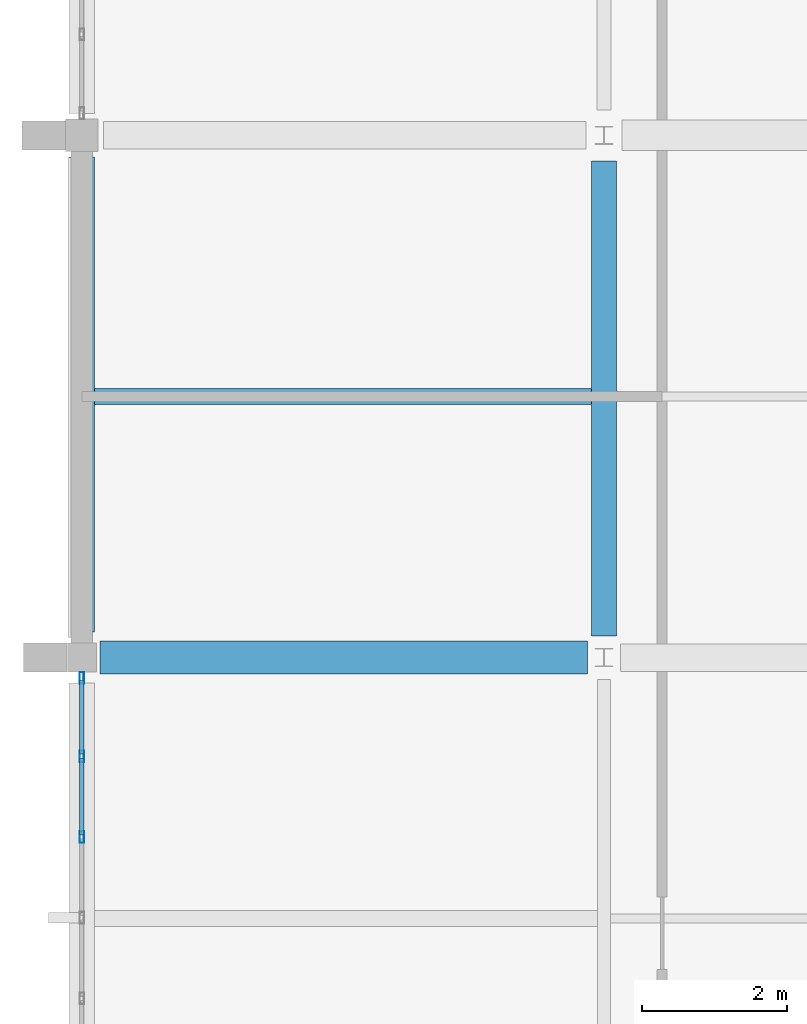
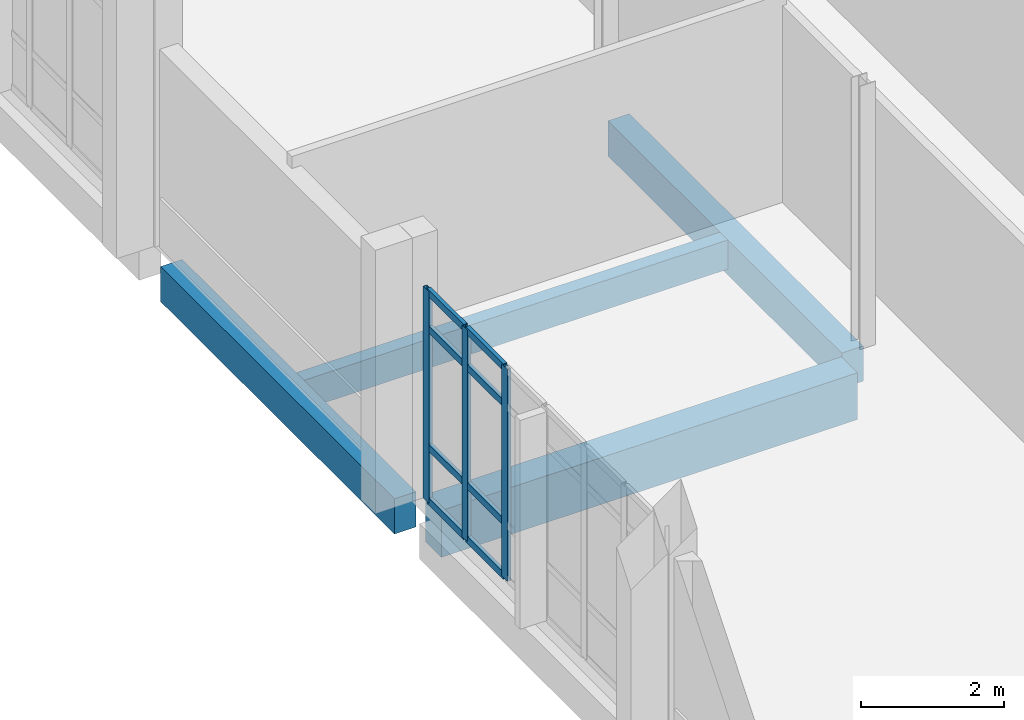
# One storey, part 18 of 62: 11 members, 4 beams, 1 element without a shape of its own.
"""IFC4 building model written with IfcOpenShell, lengths in metres."""

import ifcopenshell
import ifcopenshell.guid

model = None  # the IFC model being written
_history = None  # IfcOwnerHistory: only IFC2X3 demands one
_inside = {}  # id of a spatial element -> (the spatial element, [elements in it])
_under = {}  # id of a project, library or spatial element -> (it, [spatial elements below it])
_declared = {}  # id of a project -> (the project, [libraries it declares])
_typed = {}  # id of a type object -> (the type object, [elements of that type])
_made_of = {}  # id of a material, layer set ... -> (it, [elements and type objects made of it])


def new_model(schema):
    """Start an empty IFC model of exactly this schema.

    Asked for "IFC4X3", IfcOpenShell would pick the latest addendum, in which some entities
    have other attributes; the version numbers below select the first issue.
    IFC2X3 requires an IfcOwnerHistory on every rooted entity: one is made here for all.
    """
    global model, _history
    if schema == "IFC4X3":
        model = ifcopenshell.file(schema_version=(4, 3, 0, 0))
    else:
        model = ifcopenshell.file(schema=schema)
    _inside.clear()
    _under.clear()
    _declared.clear()
    _typed.clear()
    _made_of.clear()
    _history = None
    if model.schema == "IFC2X3":
        org = make("IfcOrganization", Name="unknown")
        user = make(
            "IfcPersonAndOrganization",
            ThePerson=make("IfcPerson", FamilyName="unknown"),
            TheOrganization=org,
        )
        app = make(
            "IfcApplication",
            ApplicationDeveloper=org,
            Version="unknown",
            ApplicationFullName="unknown",
            ApplicationIdentifier="unknown",
        )
        _history = make(
            "IfcOwnerHistory",
            OwningUser=user,
            OwningApplication=app,
            ChangeAction="ADDED",
            CreationDate=0,
        )
    return model


def make(cls, **values):
    """One entity of the class cls with the attributes given. An attribute that is None is left unset."""
    return model.create_entity(
        cls, **{name: value for name, value in values.items() if value is not None}
    )


def rooted(cls, **values):
    """An entity with a GlobalId (a new one), such as an element, a storey or a relation."""
    return make(cls, GlobalId=ifcopenshell.guid.new(), OwnerHistory=_history, **values)


def si_unit(unit_type, name, prefix=None):
    """IfcSIUnit, for example si_unit("LENGTHUNIT", "METRE", prefix="MILLI")."""
    return make("IfcSIUnit", UnitType=unit_type, Prefix=prefix, Name=name)


def assignment(units):
    """IfcUnitAssignment: the units of a project."""
    return None if units is None else make("IfcUnitAssignment", Units=units)


def point(xyz):
    """IfcCartesianPoint."""
    return None if xyz is None else make("IfcCartesianPoint", Coordinates=xyz)


def direction(xyz):
    """IfcDirection."""
    return None if xyz is None else make("IfcDirection", DirectionRatios=xyz)


def frame(location, z_axis=None, x_axis=None):
    """IfcAxis2Placement3D, a coordinate frame: its origin and axes. An axis left out is left unset."""
    return make(
        "IfcAxis2Placement3D",
        Location=point(location),
        Axis=direction(z_axis),
        RefDirection=direction(x_axis),
    )


def frame_2d(location, x_axis=None):
    """IfcAxis2Placement2D, a coordinate frame in the plane: its origin and x axis."""
    return make(
        "IfcAxis2Placement2D", Location=point(location), RefDirection=direction(x_axis)
    )


def origin():
    """The frame at (0, 0, 0) with its axes left unset."""
    return frame((0.0, 0.0, 0.0))


def origin_2d():
    """The frame at (0, 0) in the plane with its x axis left unset."""
    return frame_2d((0.0, 0.0))


def place(relative_to, where):
    """IfcLocalPlacement: puts the frame where relative to a parent placement (None: the world)."""
    return make(
        "IfcLocalPlacement", PlacementRelTo=relative_to, RelativePlacement=where
    )


def context(
    kind, dimensions, precision=None, world=None, true_north=None, identifier=None
):
    """IfcGeometricRepresentationContext, for example the 3D "Model" context."""
    return make(
        "IfcGeometricRepresentationContext",
        ContextIdentifier=identifier,
        ContextType=kind,
        CoordinateSpaceDimension=dimensions,
        Precision=precision,
        WorldCoordinateSystem=world,
        TrueNorth=true_north,
    )


def subcontext(parent, identifier, kind, view, scale=None):
    """IfcGeometricRepresentationSubContext, for example "Body" below "Model"."""
    return make(
        "IfcGeometricRepresentationSubContext",
        ContextIdentifier=identifier,
        ContextType=kind,
        ParentContext=parent,
        TargetScale=scale,
        TargetView=view,
    )


def project(units=None, contexts=None):
    """IfcProject with its units and contexts."""
    return rooted(
        "IfcProject",
        Name="project",
        RepresentationContexts=contexts,
        UnitsInContext=assignment(units),
    )


def spatial(cls, under=None, at=None, **own):
    """A site, building, storey or space (cls), placed at a placement, below another one or the project."""
    s = rooted(cls, ObjectPlacement=at, **own)
    if under is not None:
        _under.setdefault(under.id(), (under, []))[1].append(s)
    return s


def profile(cls, at=None, kind="AREA", **sizes):
    """A parametric profile (cls). Its sizes go by their IFC names, for example OverallWidth=200.0."""
    return make(cls, ProfileType=kind, Position=at, **sizes)


def rectangle(**sizes):
    """IfcRectangleProfileDef."""
    return profile("IfcRectangleProfileDef", **sizes)


def hollow_rectangle(**sizes):
    """IfcRectangleHollowProfileDef."""
    return profile("IfcRectangleHollowProfileDef", **sizes)


def extrude(swept, where, along, depth):
    """IfcExtrudedAreaSolid: the profile swept, set in the frame where, extruded along a direction by depth."""
    return make(
        "IfcExtrudedAreaSolid",
        SweptArea=swept,
        Position=where,
        ExtrudedDirection=direction(along),
        Depth=depth,
    )


def shape(context_of_items, identifier, shape_type, items):
    """IfcShapeRepresentation: the items that make up one representation, for example the "Body"."""
    return make(
        "IfcShapeRepresentation",
        ContextOfItems=context_of_items,
        RepresentationIdentifier=identifier,
        RepresentationType=shape_type,
        Items=items,
    )


def material(Name=None, Category=None):
    """IfcMaterial."""
    return make("IfcMaterial", Name=Name, Category=Category)


def material_profile(
    of_material, cross_section, Name=None, Category=None, Priority=None
):
    """IfcMaterialProfile: a cross section and its material."""
    return make(
        "IfcMaterialProfile",
        Name=Name,
        Material=of_material,
        Profile=cross_section,
        Priority=Priority,
        Category=Category,
    )


def profile_set(profiles, Name=None, composite=None):
    """IfcMaterialProfileSet."""
    return make(
        "IfcMaterialProfileSet",
        Name=Name,
        MaterialProfiles=profiles,
        CompositeProfile=composite,
    )


def made_of(thing, what):
    """Note that an element or type object is made of a material, layer set ...; save() writes the relation."""
    if what is not None:
        _made_of.setdefault(what.id(), (what, []))[1].append(thing)
    return thing


def type_object(cls, material=None, **own):
    """A type object (cls), such as IfcWallType, which elements share."""
    return made_of(rooted(cls, **own), material)


def element(
    cls,
    number,
    at=None,
    inside=None,
    cuts=None,
    type_object=None,
    material=None,
    context=None,
    identifier="Body",
    shape_type=None,
    held_by="IfcProductDefinitionShape",
    body=None,
    shapes=None,
    **own,
):
    """One element of the class cls, such as IfcWall. Its Tag is "e" and its number.

    at: its placement. inside: the storey or other place that contains it. cuts: it is an
    opening in that element (IfcRelVoidsElement). A single representation is given by context,
    identifier, shape_type and body (its items); several are given by shapes. held_by: the class
    of the entity that holds the representations. save() writes the other relations.
    """
    e = rooted(cls, Tag="e%d" % number, ObjectPlacement=at, **own)
    if body is not None:
        shapes = [shape(context, identifier, shape_type, body)]
    if shapes is not None:
        e.Representation = make(held_by, Representations=shapes)
    if inside is not None:
        _inside.setdefault(inside.id(), (inside, []))[1].append(e)
    if cuts is not None:
        rooted(
            "IfcRelVoidsElement", RelatingBuildingElement=cuts, RelatedOpeningElement=e
        )
    if type_object is not None:
        _typed.setdefault(type_object.id(), (type_object, []))[1].append(e)
    return made_of(e, material)


def aggregate(whole, parts):
    """IfcRelAggregates: a whole, such as a stair, and the parts it consists of."""
    return rooted("IfcRelAggregates", RelatingObject=whole, RelatedObjects=parts)


def save(model, path):
    """Write the relations noted so far, then the file.

    IfcRelAggregates (storeys below a building ...), IfcRelContainedInSpatialStructure (elements
    in a storey), IfcRelDefinesByType, IfcRelAssociatesMaterial and IfcRelDeclares: one each for
    every whole, place, type object, material and project.
    """
    for whole, parts in _under.values():
        aggregate(whole, parts)
    for where, things in _inside.values():
        rooted(
            "IfcRelContainedInSpatialStructure",
            RelatedElements=things,
            RelatingStructure=where,
        )
    for kind, things in _typed.values():
        rooted("IfcRelDefinesByType", RelatedObjects=things, RelatingType=kind)
    for what, things in _made_of.values():
        rooted("IfcRelAssociatesMaterial", RelatedObjects=things, RelatingMaterial=what)
    for by, libraries in _declared.values():
        rooted("IfcRelDeclares", RelatingContext=by, RelatedDefinitions=libraries)
    model.write(path)


model = new_model("IFC4")

# Units and contexts
model_context = context("Model", 3, precision=1e-05, world=origin(), true_north=direction((0.0, 1.0)))
body_context = subcontext(model_context, "Body", "Model", "MODEL_VIEW")
ifc_project = project(units=[si_unit("LENGTHUNIT", "METRE"), si_unit("AREAUNIT", "SQUARE_METRE"), si_unit("VOLUMEUNIT", "CUBIC_METRE"), si_unit("PLANEANGLEUNIT", "RADIAN"), si_unit("MASSUNIT", "GRAM", prefix="KILO")], contexts=[model_context])

# Site, building, storey
site_placement = place(None, origin())
site = spatial("IfcSite", under=ifc_project, at=site_placement, CompositionType="ELEMENT")
building_placement = place(site_placement, origin())
building = spatial("IfcBuilding", under=site, at=building_placement, Name="Kalluvel Institute of Natural Sciences", CompositionType="ELEMENT")
storey_placement = place(building_placement, frame((0.0, 0.0, 27.89990234375)))
storey = spatial("IfcBuildingStorey", under=building, at=storey_placement, Name="L06", CompositionType="ELEMENT", Elevation=27.89990234375)

# Beams
ifc_material_1 = material(Name="Concrete M40", Category="concrete")
ifc_material_profile_1 = material_profile(ifc_material_1, rectangle(XDim=0.35009765625, YDim=0.60009765625, at=origin_2d()), Name="RCB 350x600")
ifc_profile_set_1 = profile_set([ifc_material_profile_1], Name="Concrete M40")
beam_type_1 = type_object("IfcBeamType", Name="BM-RC350x600", PredefinedType="BEAM", material=ifc_profile_set_1)
beam_1_placement = place(storey_placement, frame((21.199951171875, 79.10009765625, -0.599853515625), z_axis=(0.0, 1.0, 0.0), x_axis=(-1.0, 0.0, 0.0)))
element("IfcBeam", 1, at=beam_1_placement, inside=storey, type_object=beam_type_1, Name="L06 girder GIR-L06-NS-X212-Y788", PredefinedType="BEAM", context=body_context, shape_type="SweptSolid", body=[
    extrude(rectangle(XDim=0.35009765625, YDim=0.60009765625, at=origin_2d()), origin(), (0.0, 0.0, 1.0), 6.5498046875),
])
ifc_material_profile_2 = material_profile(ifc_material_1, rectangle(XDim=0.449951171875, YDim=0.800048828125, at=origin_2d()), Name="RCB 450x800")
ifc_profile_set_2 = profile_set([ifc_material_profile_2], Name="Concrete M40")
beam_type_2 = type_object("IfcBeamType", Name="BM-RC450x800", PredefinedType="BEAM", material=ifc_profile_set_2)
beam_2_placement = place(storey_placement, frame((14.25, 78.800048828125, -0.699951171875), z_axis=(1.0, 0.0, 0.0), x_axis=(0.0, 1.0, 0.0)))
element("IfcBeam", 2, at=beam_2_placement, inside=storey, type_object=beam_type_2, Name="L06 girder GIR-L06-EW-X140-Y788", PredefinedType="BEAM", context=body_context, shape_type="SweptSolid", body=[
    extrude(rectangle(XDim=0.449951171875, YDim=0.800048828125, at=origin_2d()), origin(), (0.0, 0.0, 1.0), 6.72509765625),
])

# Curtain wall, members
ifc_material_2 = material(Name="Aluminium AW-6063 T6", Category="aluminium")
curtain_wall_type = type_object("IfcCurtainWallType", Name="CW-DRY-45", PredefinedType="USERDEFINED", material=ifc_material_2)
curtain_wall_placement = place(storey_placement, origin())
curtain_wall = element("IfcCurtainWall", 3, at=curtain_wall_placement, inside=storey, type_object=curtain_wall_type, Name="L06 Gothic lancet curtain wall CWA-L06-X140-Y719", ObjectType="UNITISED LANCET FACADE", PredefinedType="USERDEFINED")
ifc_material_profile_3 = material_profile(ifc_material_2, hollow_rectangle(XDim=0.06005859375, YDim=0.159912109375, WallThickness=0.00390625, at=origin_2d()), Name="CWM 60x160")
ifc_profile_set_3 = profile_set([ifc_material_profile_3], Name="Aluminium AW-6063 T6")
member_type_1 = type_object("IfcMemberType", Name="CWM-60x160", PredefinedType="MULLION", material=ifc_profile_set_3)
member_1_placement = place(storey_placement, frame((14.0, 76.324951171875, 0.0), z_axis=(0.0, 0.0, 1.0), x_axis=(-1.0, 0.0, 0.0)))
member_1 = element("IfcMember", 4, at=member_1_placement, type_object=member_type_1, Name="CW-03 mullion 5", PredefinedType="MULLION", context=body_context, shape_type="SweptSolid", body=[
    extrude(hollow_rectangle(XDim=0.06005859375, YDim=0.159912109375, WallThickness=0.00390625, at=origin_2d()), origin(), (0.0, 0.0, 1.0), 3.6201171875),
])
member_2_placement = place(storey_placement, frame((14.0, 77.4375, 0.0), z_axis=(0.0, 0.0, 1.0), x_axis=(-1.0, 0.0, 0.0)))
member_2 = element("IfcMember", 5, at=member_2_placement, type_object=member_type_1, Name="CW-03 mullion 6", PredefinedType="MULLION", context=body_context, shape_type="SweptSolid", body=[
    extrude(hollow_rectangle(XDim=0.06005859375, YDim=0.159912109375, WallThickness=0.00390625, at=origin_2d()), origin(), (0.0, 0.0, 1.0), 3.6201171875),
])
member_3_placement = place(storey_placement, frame((14.0, 78.52001953125, 0.0), z_axis=(0.0, 0.0, 1.0), x_axis=(-1.0, 0.0, 0.0)))
member_3 = element("IfcMember", 6, at=member_3_placement, type_object=member_type_1, Name="CW-03 mullion 7", PredefinedType="MULLION", context=body_context, shape_type="SweptSolid", body=[
    extrude(hollow_rectangle(XDim=0.06005859375, YDim=0.159912109375, WallThickness=0.00390625, at=origin_2d()), origin(), (0.0, 0.0, 1.0), 3.6201171875),
])
ifc_material_profile_4 = material_profile(ifc_material_2, hollow_rectangle(XDim=0.06005859375, YDim=0.1201171875, WallThickness=0.00390625, at=origin_2d()), Name="CWT 60x120")
ifc_profile_set_4 = profile_set([ifc_material_profile_4], Name="Aluminium AW-6063 T6")
member_type_2 = type_object("IfcMemberType", Name="CWT-60x120", PredefinedType="USERDEFINED", material=ifc_profile_set_4)
member_4_placement = place(storey_placement, frame((14.0, 76.35498046875, 0.030029296875), z_axis=(0.0, 1.0, 0.0), x_axis=(-1.0, 0.0, 0.0)))
member_4 = element("IfcMember", 7, at=member_4_placement, type_object=member_type_2, Name="CW-03 transom 5.1", ObjectType="TRANSOM", PredefinedType="USERDEFINED", context=body_context, shape_type="SweptSolid", body=[
    extrude(hollow_rectangle(XDim=0.06005859375, YDim=0.1201171875, WallThickness=0.00390625, at=origin_2d()), origin(), (0.0, 0.0, 1.0), 1.052490234375),
])
member_5_placement = place(storey_placement, frame((14.0, 76.35498046875, 0.9501953125), z_axis=(0.0, 1.0, 0.0), x_axis=(-1.0, 0.0, 0.0)))
member_5 = element("IfcMember", 8, at=member_5_placement, type_object=member_type_2, Name="CW-03 transom 5.2", ObjectType="TRANSOM", PredefinedType="USERDEFINED", context=body_context, shape_type="SweptSolid", body=[
    extrude(hollow_rectangle(XDim=0.06005859375, YDim=0.1201171875, WallThickness=0.00390625, at=origin_2d()), origin(), (0.0, 0.0, 1.0), 1.052490234375),
])
member_6_placement = place(storey_placement, frame((14.0, 76.35498046875, 2.97021484375), z_axis=(0.0, 1.0, 0.0), x_axis=(-1.0, 0.0, 0.0)))
member_6 = element("IfcMember", 9, at=member_6_placement, type_object=member_type_2, Name="CW-03 transom 5.3", ObjectType="TRANSOM", PredefinedType="USERDEFINED", context=body_context, shape_type="SweptSolid", body=[
    extrude(hollow_rectangle(XDim=0.06005859375, YDim=0.1201171875, WallThickness=0.00390625, at=origin_2d()), origin(), (0.0, 0.0, 1.0), 1.052490234375),
])
member_7_placement = place(storey_placement, frame((14.0, 76.35498046875, 3.590087890625), z_axis=(0.0, 1.0, 0.0), x_axis=(-1.0, 0.0, 0.0)))
member_7 = element("IfcMember", 10, at=member_7_placement, type_object=member_type_2, Name="CW-03 transom 5.4", ObjectType="TRANSOM", PredefinedType="USERDEFINED", context=body_context, shape_type="SweptSolid", body=[
    extrude(hollow_rectangle(XDim=0.06005859375, YDim=0.1201171875, WallThickness=0.00390625, at=origin_2d()), origin(), (0.0, 0.0, 1.0), 1.052490234375),
])
member_8_placement = place(storey_placement, frame((14.0, 77.467529296875, 0.030029296875), z_axis=(0.0, 1.0, 0.0), x_axis=(-1.0, 0.0, 0.0)))
member_8 = element("IfcMember", 11, at=member_8_placement, type_object=member_type_2, Name="CW-03 transom 6.1", ObjectType="TRANSOM", PredefinedType="USERDEFINED", context=body_context, shape_type="SweptSolid", body=[
    extrude(hollow_rectangle(XDim=0.06005859375, YDim=0.1201171875, WallThickness=0.00390625, at=origin_2d()), origin(), (0.0, 0.0, 1.0), 1.0224609375),
])
member_9_placement = place(storey_placement, frame((14.0, 77.467529296875, 0.9501953125), z_axis=(0.0, 1.0, 0.0), x_axis=(-1.0, 0.0, 0.0)))
member_9 = element("IfcMember", 12, at=member_9_placement, type_object=member_type_2, Name="CW-03 transom 6.2", ObjectType="TRANSOM", PredefinedType="USERDEFINED", context=body_context, shape_type="SweptSolid", body=[
    extrude(hollow_rectangle(XDim=0.06005859375, YDim=0.1201171875, WallThickness=0.00390625, at=origin_2d()), origin(), (0.0, 0.0, 1.0), 1.0224609375),
])
member_10_placement = place(storey_placement, frame((14.0, 77.467529296875, 2.97021484375), z_axis=(0.0, 1.0, 0.0), x_axis=(-1.0, 0.0, 0.0)))
member_10 = element("IfcMember", 13, at=member_10_placement, type_object=member_type_2, Name="CW-03 transom 6.3", ObjectType="TRANSOM", PredefinedType="USERDEFINED", context=body_context, shape_type="SweptSolid", body=[
    extrude(hollow_rectangle(XDim=0.06005859375, YDim=0.1201171875, WallThickness=0.00390625, at=origin_2d()), origin(), (0.0, 0.0, 1.0), 1.0224609375),
])
member_11_placement = place(storey_placement, frame((14.0, 77.467529296875, 3.590087890625), z_axis=(0.0, 1.0, 0.0), x_axis=(-1.0, 0.0, 0.0)))
member_11 = element("IfcMember", 14, at=member_11_placement, type_object=member_type_2, Name="CW-03 transom 6.4", ObjectType="TRANSOM", PredefinedType="USERDEFINED", context=body_context, shape_type="SweptSolid", body=[
    extrude(hollow_rectangle(XDim=0.06005859375, YDim=0.1201171875, WallThickness=0.00390625, at=origin_2d()), origin(), (0.0, 0.0, 1.0), 1.0224609375),
])
aggregate(curtain_wall, [member_1, member_2, member_3, member_4, member_5, member_6, member_7, member_8, member_9, member_10, member_11])

# Beams
ifc_material_profile_5 = material_profile(ifc_material_1, rectangle(XDim=0.35009765625, YDim=0.60009765625, at=origin_2d()), Name="RCB 350x600")
ifc_profile_set_5 = profile_set([ifc_material_profile_5], Name="Concrete M40")
beam_type_3 = type_object("IfcBeamType", Name="SP-RC350x600", PredefinedType="SPANDREL", material=ifc_profile_set_5)
beam_3_placement = place(storey_placement, frame((14.0, 79.14990234375, -0.599853515625), z_axis=(0.0, 1.0, 0.0), x_axis=(-1.0, 0.0, 0.0)))
element("IfcBeam", 15, at=beam_3_placement, inside=storey, type_object=beam_type_3, Name="L06 girder GIR-L06-NS-X140-Y788", PredefinedType="SPANDREL", context=body_context, shape_type="SweptSolid", body=[
    extrude(rectangle(XDim=0.35009765625, YDim=0.60009765625, at=origin_2d()), origin(), (0.0, 0.0, 1.0), 6.550048828125),
])
ifc_material_profile_6 = material_profile(ifc_material_1, rectangle(XDim=0.219970703125, YDim=0.5, at=origin_2d()), Name="WAF 220x500")
ifc_profile_set_6 = profile_set([ifc_material_profile_6], Name="Concrete M40")
beam_type_4 = type_object("IfcBeamType", Name="WJ-220x500", PredefinedType="JOIST", material=ifc_profile_set_6)
beam_4_placement = place(storey_placement, frame((14.175048828125, 82.39990234375, -0.5498046875), z_axis=(1.0, 0.0, 0.0), x_axis=(0.0, 1.0, 0.0)))
element("IfcBeam", 16, at=beam_4_placement, inside=storey, type_object=beam_type_4, Name="L06 floor rib RIB-L06-0773", PredefinedType="JOIST", context=body_context, shape_type="SweptSolid", body=[
    extrude(rectangle(XDim=0.219970703125, YDim=0.5, at=origin_2d()), origin(), (0.0, 0.0, 1.0), 6.849853515625),
])

save(model, "model.ifc")
